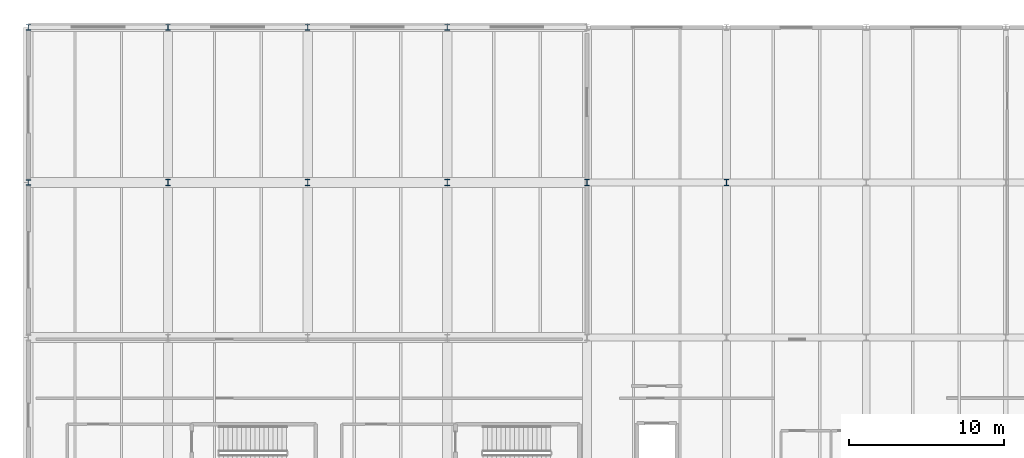
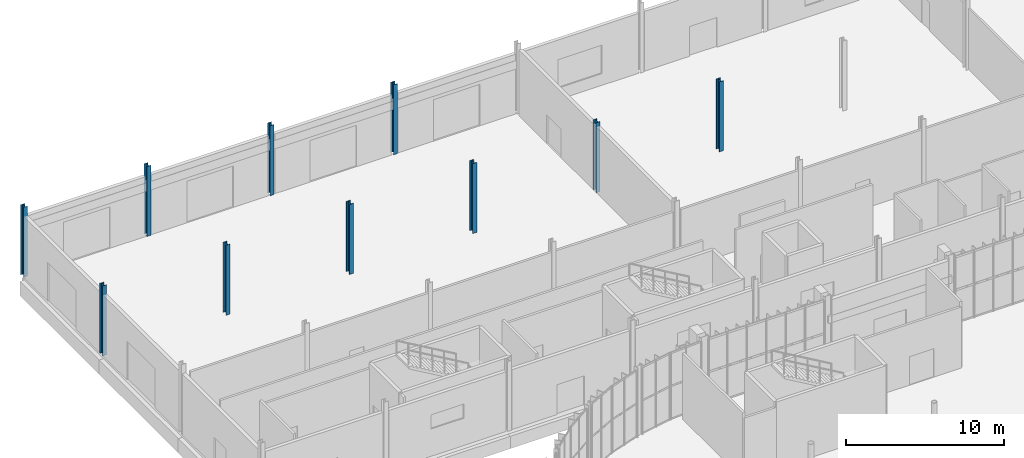
# One storey, part 12 of 158: 10 columns.
"""IFC4 building model written with IfcOpenShell, lengths in metres."""

from ifc_helpers import new_model, si_unit, derived_unit, direction, frame, origin, origin_2d, place, context, subcontext, project, spatial, i_section, extrude, material, material_profile, profile_set, type_object, element, save


model = new_model("IFC4")

# Units and contexts
model_context = context("Model", 3, precision=1e-05, world=origin(), true_north=direction((0.0, 1.0)))
body_context = subcontext(model_context, "Body", "Model", "MODEL_VIEW")
ifc_project = project(units=[si_unit("LENGTHUNIT", "METRE"), si_unit("AREAUNIT", "SQUARE_METRE"), si_unit("VOLUMEUNIT", "CUBIC_METRE"), si_unit("PLANEANGLEUNIT", "RADIAN"), si_unit("MASSUNIT", "GRAM", prefix="KILO"), si_unit("THERMODYNAMICTEMPERATUREUNIT", "KELVIN"), si_unit("TIMEUNIT", "SECOND"), derived_unit("THERMALTRANSMITTANCEUNIT", [(si_unit("MASSUNIT", "GRAM", prefix="KILO"), 1), (si_unit("THERMODYNAMICTEMPERATUREUNIT", "KELVIN"), -1), (si_unit("TIMEUNIT", "SECOND"), -3)])], contexts=[model_context])

# Site, building, storey
site_placement = place(None, origin())
site = spatial("IfcSite", under=ifc_project, at=site_placement, CompositionType="ELEMENT")
building_placement = place(site_placement, origin())
building = spatial("IfcBuilding", under=site, at=building_placement, Name="Cambertide Market Hall", CompositionType="ELEMENT")
storey_placement = place(building_placement, origin())
storey = spatial("IfcBuildingStorey", under=building, at=storey_placement, Name="L01", CompositionType="ELEMENT", Elevation=0.0)

# Columns
ifc_material_1 = material(Name="Steel S355", Category="steel")
ifc_material_profile_1 = material_profile(ifc_material_1, i_section(OverallWidth=0.300048828125, OverallDepth=0.360107421875, WebThickness=0.012451171875, FlangeThickness=0.0224609375, FilletRadius=0.027099609375, at=origin_2d()), Name="HEB 360")
ifc_profile_set_1 = profile_set([ifc_material_profile_1], Name="Steel S355")
column_type_1 = type_object("IfcColumnType", Name="Exterior Steel Column HEB 360", PredefinedType="COLUMN", material=ifc_profile_set_1)
for number, where, z_axis, x_axis, name in (
    (1, (12.0, 116.0, 0.0), (0.0, 0.0, 1.0), (1.0, 0.0, 0.0), "Level 1 Column COL-V2-1-3-L01"),
    (2, (12.0, 126.0, 0.0), (0.0, 0.0, 1.0), (1.0, 0.0, 0.0), "Level 1 Column COL-V2-1-4-L01"),
    (3, (21.0, 126.0, 0.0), (0.0, 0.0, 1.0), (1.0, 0.0, 0.0), "Level 1 Column COL-V2-2-4-L01"),
    (4, (30.0, 126.0, 0.0), (0.0, 0.0, 1.0), (1.0, 0.0, 0.0), "Level 1 Column COL-V2-3-4-L01"),
    (5, (39.0, 126.0, 0.0), (0.0, 0.0, 1.0), (1.0, 0.0, 0.0), "Level 1 Column COL-V2-4-4-L01"),
):
    element("IfcColumn", number, at=place(storey_placement, frame(where, z_axis=z_axis, x_axis=x_axis)), inside=storey, type_object=column_type_1, Name=name, PredefinedType="COLUMN", context=body_context, shape_type="SweptSolid", body=[
        extrude(i_section(OverallWidth=0.300048828125, OverallDepth=0.360107421875, WebThickness=0.012451171875, FlangeThickness=0.0224609375, FilletRadius=0.027099609375, at=origin_2d()), origin(), (0.0, 0.0, 1.0), 5.39990234375),
    ])
ifc_material_2 = material(Name="Steel S355", Category="steel")
ifc_material_profile_2 = material_profile(ifc_material_2, i_section(OverallWidth=0.300048828125, OverallDepth=0.39990234375, WebThickness=0.013427734375, FlangeThickness=0.02392578125, FilletRadius=0.027099609375, at=origin_2d()), Name="HEB 400")
ifc_profile_set_2 = profile_set([ifc_material_profile_2], Name="Steel S355")
column_type_2 = type_object("IfcColumnType", Name="Steel Column HEB 400", PredefinedType="COLUMN", material=ifc_profile_set_2)
for number, where, z_axis, x_axis, name in (
    (6, (21.0, 116.0, 0.0), (0.0, 0.0, 1.0), (1.0, 0.0, 0.0), "Level 1 Column COL-V2-2-3-L01"),
    (7, (30.0, 116.0, 0.0), (0.0, 0.0, 1.0), (1.0, 0.0, 0.0), "Level 1 Column COL-V2-3-3-L01"),
    (8, (39.0, 116.0, 0.0), (0.0, 0.0, 1.0), (1.0, 0.0, 0.0), "Level 1 Column COL-V2-4-3-L01"),
    (9, (48.0, 116.0, 0.0), (0.0, 0.0, 1.0), (1.0, 0.0, 0.0), "Level 1 Column COL-V2-5-3-L01"),
    (10, (57.0, 116.0, 0.0), (0.0, 0.0, 1.0), (1.0, 0.0, 0.0), "Level 1 Column COL-V2-6-3-L01"),
):
    element("IfcColumn", number, at=place(storey_placement, frame(where, z_axis=z_axis, x_axis=x_axis)), inside=storey, type_object=column_type_2, Name=name, PredefinedType="COLUMN", context=body_context, shape_type="SweptSolid", body=[
        extrude(i_section(OverallWidth=0.300048828125, OverallDepth=0.39990234375, WebThickness=0.013427734375, FlangeThickness=0.02392578125, FilletRadius=0.027099609375, at=origin_2d()), origin(), (0.0, 0.0, 1.0), 5.39990234375),
    ])

save(model, "model.ifc")
